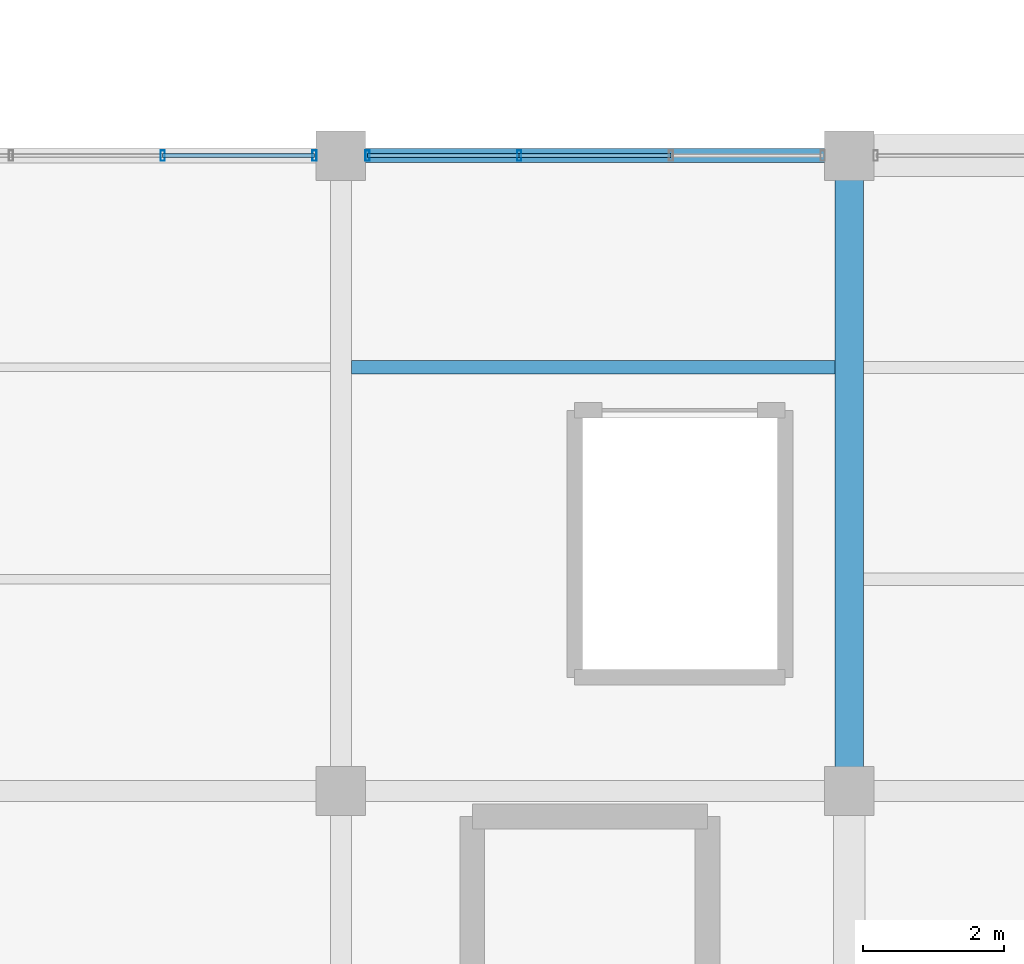
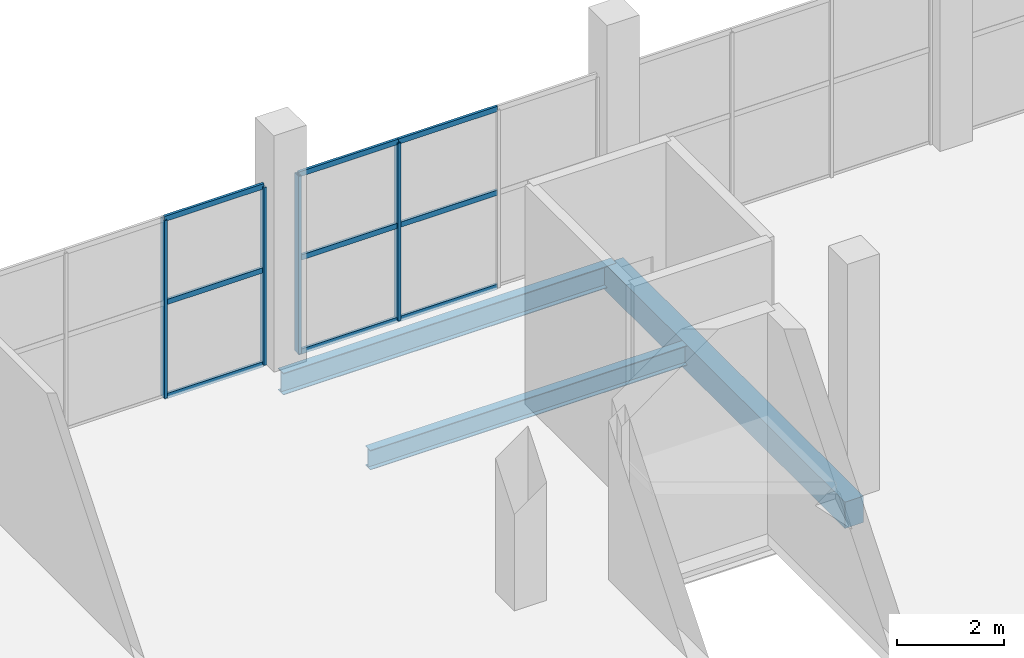
# One storey, part 101 of 147: 13 members, 3 beams, 2 elements without a shape of their own.
"""IFC4 building model written with IfcOpenShell, lengths in metres."""

from ifc_helpers import new_model, si_unit, direction, frame, origin, origin_2d, place, context, subcontext, project, spatial, rectangle, hollow_rectangle, i_section, extrude, material, layer, layer_set, material_profile, profile_set, type_object, element, aggregate, save


model = new_model("IFC4")

# Units and contexts
model_context = context("Model", 3, precision=1e-05, world=origin(), true_north=direction((0.0, 1.0)))
body_context = subcontext(model_context, "Body", "Model", "MODEL_VIEW")
ifc_project = project(units=[si_unit("LENGTHUNIT", "METRE"), si_unit("AREAUNIT", "SQUARE_METRE"), si_unit("VOLUMEUNIT", "CUBIC_METRE"), si_unit("PLANEANGLEUNIT", "RADIAN"), si_unit("MASSUNIT", "GRAM", prefix="KILO")], contexts=[model_context])

# Site, building, storey
site_placement = place(None, origin())
site = spatial("IfcSite", under=ifc_project, at=site_placement, CompositionType="ELEMENT")
building_placement = place(site_placement, origin())
building = spatial("IfcBuilding", under=site, at=building_placement, Name="Sundgate Opera House", CompositionType="ELEMENT")
storey_placement = place(building_placement, frame((0.0, 0.0, 6.0)))
storey = spatial("IfcBuildingStorey", under=building, at=storey_placement, Name="L01", CompositionType="ELEMENT", Elevation=6.0)

# Beams
ifc_material_1 = material(Name="Steel S355J2", Category="steel")
ifc_material_profile_1 = material_profile(ifc_material_1, i_section(OverallWidth=0.199951171875, OverallDepth=0.5, WebThickness=0.01025390625, FlangeThickness=0.01611328125, at=origin_2d()), Name="IPE 500")
ifc_profile_set_1 = profile_set([ifc_material_profile_1], Name="Steel S355J2")
beam_type_1 = type_object("IfcBeamType", Name="BM-GR-IPE500", PredefinedType="BEAM", material=ifc_profile_set_1)
beam_1_placement = place(storey_placement, frame((131.39990234375, 87.0, -0.550048828125), z_axis=(1.0, 0.0, 0.0), x_axis=(0.0, 1.0, 0.0)))
element("IfcBeam", 1, at=beam_1_placement, inside=storey, type_object=beam_type_1, Name="L01 Primary E-W Girder B1396", PredefinedType="BEAM", context=body_context, shape_type="SweptSolid", body=[
    extrude(i_section(OverallWidth=0.199951171875, OverallDepth=0.5, WebThickness=0.01025390625, FlangeThickness=0.01611328125, at=origin_2d()), origin(), (0.0, 0.0, 1.0), 7.2001953125),
])
ifc_material_2 = material(Name="Steel S355J2", Category="steel")
ifc_material_profile_2 = material_profile(ifc_material_2, i_section(OverallWidth=0.18994140625, OverallDepth=0.449951171875, WebThickness=0.009521484375, FlangeThickness=0.0146484375, at=origin_2d()), Name="IPE 450")
ifc_profile_set_2 = profile_set([ifc_material_profile_2], Name="Steel S355J2")
beam_type_2 = type_object("IfcBeamType", Name="BM-JS-IPE450", PredefinedType="JOIST", material=ifc_profile_set_2)
beam_2_placement = place(storey_placement, frame((131.550048828125, 84.0, -0.52490234375), z_axis=(1.0, 0.0, 0.0), x_axis=(0.0, 1.0, 0.0)))
element("IfcBeam", 2, at=beam_2_placement, inside=storey, type_object=beam_type_2, Name="L01 Secondary Floor Joist B1652", PredefinedType="JOIST", context=body_context, shape_type="SweptSolid", body=[
    extrude(i_section(OverallWidth=0.18994140625, OverallDepth=0.449951171875, WebThickness=0.009521484375, FlangeThickness=0.0146484375, at=origin_2d()), origin(), (0.0, 0.0, 1.0), 6.849853515625),
])
ifc_material_3 = material(Name="Concrete C35/45", Category="concrete")
ifc_material_profile_3 = material_profile(ifc_material_3, rectangle(XDim=0.39990234375, YDim=0.60009765625, at=origin_2d()), Name="RC 400x600")
ifc_profile_set_3 = profile_set([ifc_material_profile_3], Name="Concrete C35/45")
beam_type_3 = type_object("IfcBeamType", Name="BM-RC-400x600", PredefinedType="BEAM", material=ifc_profile_set_3)
beam_3_placement = place(storey_placement, frame((138.60009765625, 78.0, -0.60009765625), z_axis=(0.0, 1.0, 0.0), x_axis=(-1.0, 0.0, 0.0)))
element("IfcBeam", 3, at=beam_3_placement, inside=storey, type_object=beam_type_3, Name="L01 Primary N-S Girder B1224", PredefinedType="BEAM", context=body_context, shape_type="SweptSolid", body=[
    extrude(rectangle(XDim=0.39990234375, YDim=0.60009765625, at=origin_2d()), origin(), (0.0, 0.0, 1.0), 9.0),
])

# Curtain wall, members
ifc_material_4 = material(Name="Anodized aluminium and low-iron glass", Category="aluminium")
ifc_layer = layer(ifc_material_4, 0.159912109375)
ifc_layer_set = layer_set([ifc_layer], Name="Anodized aluminium and low-iron glass")
curtain_wall_type = type_object("IfcCurtainWallType", Name="CW-STUDIO-DARK", PredefinedType="NOTDEFINED", material=ifc_layer_set)
curtain_wall_1_placement = place(storey_placement, origin())
curtain_wall_1 = element("IfcCurtainWall", 4, at=curtain_wall_1_placement, inside=storey, type_object=curtain_wall_type, Name="L01 Curtain Wall CW094", PredefinedType="NOTDEFINED")
ifc_material_5 = material(Name="Anodized aluminium EN AW-6063", Category="aluminium")
ifc_material_profile_4 = material_profile(ifc_material_5, hollow_rectangle(XDim=0.06005859375, YDim=0.14990234375, WallThickness=0.00390625, at=origin_2d()), Name="CWM 150x60x4")
ifc_profile_set_4 = profile_set([ifc_material_profile_4], Name="Anodized aluminium EN AW-6063")
member_type_1 = type_object("IfcMemberType", Name="CWM-ALU-150x60", PredefinedType="MULLION", material=ifc_profile_set_4)
member_1_placement = place(storey_placement, frame((128.875, 87.0, 0.0), z_axis=(0.0, 0.0, 1.0), x_axis=(1.0, 0.0, 0.0)))
member_1 = element("IfcMember", 5, at=member_1_placement, type_object=member_type_1, Name="CW094 Mullion 3", PredefinedType="MULLION", context=body_context, shape_type="SweptSolid", body=[
    extrude(hollow_rectangle(XDim=0.06005859375, YDim=0.14990234375, WallThickness=0.00390625, at=origin_2d()), origin(), (0.0, 0.0, 1.0), 4.06494140625),
])
member_2_placement = place(storey_placement, frame((131.02490234375, 87.0, 0.0), z_axis=(0.0, 0.0, 1.0), x_axis=(1.0, 0.0, 0.0)))
member_2 = element("IfcMember", 6, at=member_2_placement, type_object=member_type_1, Name="CW094 Mullion 4", PredefinedType="MULLION", context=body_context, shape_type="SweptSolid", body=[
    extrude(hollow_rectangle(XDim=0.06005859375, YDim=0.14990234375, WallThickness=0.00390625, at=origin_2d()), origin(), (0.0, 0.0, 1.0), 4.06494140625),
])

curtain_wall_2_placement = place(storey_placement, origin())
curtain_wall_2 = element("IfcCurtainWall", 7, at=curtain_wall_2_placement, inside=storey, type_object=curtain_wall_type, Name="L01 Curtain Wall CW096", PredefinedType="NOTDEFINED")
member_3_placement = place(storey_placement, frame((131.77490234375, 87.0, 0.0), z_axis=(0.0, 0.0, 1.0), x_axis=(1.0, 0.0, 0.0)))
member_3 = element("IfcMember", 8, at=member_3_placement, type_object=member_type_1, Name="CW096 Mullion 1", PredefinedType="MULLION", context=body_context, shape_type="SweptSolid", body=[
    extrude(hollow_rectangle(XDim=0.06005859375, YDim=0.14990234375, WallThickness=0.00390625, at=origin_2d()), origin(), (0.0, 0.0, 1.0), 4.06494140625),
])
member_4_placement = place(storey_placement, frame((133.925048828125, 87.0, 0.0), z_axis=(0.0, 0.0, 1.0), x_axis=(1.0, 0.0, 0.0)))
member_4 = element("IfcMember", 9, at=member_4_placement, type_object=member_type_1, Name="CW096 Mullion 2", PredefinedType="MULLION", context=body_context, shape_type="SweptSolid", body=[
    extrude(hollow_rectangle(XDim=0.06005859375, YDim=0.14990234375, WallThickness=0.00390625, at=origin_2d()), origin(), (0.0, 0.0, 1.0), 4.06494140625),
])

# Member
ifc_material_6 = material(Name="Anodized aluminium EN AW-6063", Category="aluminium")
ifc_material_profile_5 = material_profile(ifc_material_6, hollow_rectangle(XDim=0.054931640625, YDim=0.1201171875, WallThickness=0.00390625, at=origin_2d()), Name="CWT 120x55x4")
ifc_profile_set_5 = profile_set([ifc_material_profile_5], Name="Anodized aluminium EN AW-6063")
member_type_2 = type_object("IfcMemberType", Name="CWT-ALU-120x55", PredefinedType="USERDEFINED", material=ifc_profile_set_5)
member_5_placement = place(storey_placement, frame((128.875, 87.0, 0.0), z_axis=(1.0, 0.0, 0.0), x_axis=(0.0, 1.0, 0.0)))
member_5 = element("IfcMember", 10, at=member_5_placement, type_object=member_type_2, Name="CW094 Transom 7", ObjectType="TRANSOM", PredefinedType="USERDEFINED", context=body_context, shape_type="SweptSolid", body=[
    extrude(hollow_rectangle(XDim=0.054931640625, YDim=0.1201171875, WallThickness=0.00390625, at=origin_2d()), origin(), (0.0, 0.0, 1.0), 2.14990234375),
])

member_6_placement = place(storey_placement, frame((128.875, 87.0, 2.14990234375), z_axis=(1.0, 0.0, 0.0), x_axis=(0.0, 1.0, 0.0)))
member_6 = element("IfcMember", 11, at=member_6_placement, type_object=member_type_2, Name="CW094 Transom 8", ObjectType="TRANSOM", PredefinedType="USERDEFINED", context=body_context, shape_type="SweptSolid", body=[
    extrude(hollow_rectangle(XDim=0.054931640625, YDim=0.1201171875, WallThickness=0.00390625, at=origin_2d()), origin(), (0.0, 0.0, 1.0), 2.14990234375),
])

member_7_placement = place(storey_placement, frame((128.875, 87.0, 4.06494140625), z_axis=(1.0, 0.0, 0.0), x_axis=(0.0, 1.0, 0.0)))
member_7 = element("IfcMember", 12, at=member_7_placement, type_object=member_type_2, Name="CW094 Transom 9", ObjectType="TRANSOM", PredefinedType="USERDEFINED", context=body_context, shape_type="SweptSolid", body=[
    extrude(hollow_rectangle(XDim=0.054931640625, YDim=0.1201171875, WallThickness=0.00390625, at=origin_2d()), origin(), (0.0, 0.0, 1.0), 2.14990234375),
])

aggregate(curtain_wall_1, [member_1, member_2, member_5, member_6, member_7])

member_8_placement = place(storey_placement, frame((131.77490234375, 87.0, 0.0), z_axis=(1.0, 0.0, 0.0), x_axis=(0.0, 1.0, 0.0)))
member_8 = element("IfcMember", 13, at=member_8_placement, type_object=member_type_2, Name="CW096 Transom 1", ObjectType="TRANSOM", PredefinedType="USERDEFINED", context=body_context, shape_type="SweptSolid", body=[
    extrude(hollow_rectangle(XDim=0.054931640625, YDim=0.1201171875, WallThickness=0.00390625, at=origin_2d()), origin(), (0.0, 0.0, 1.0), 2.150146484375),
])

member_9_placement = place(storey_placement, frame((131.77490234375, 87.0, 2.14990234375), z_axis=(1.0, 0.0, 0.0), x_axis=(0.0, 1.0, 0.0)))
member_9 = element("IfcMember", 14, at=member_9_placement, type_object=member_type_2, Name="CW096 Transom 2", ObjectType="TRANSOM", PredefinedType="USERDEFINED", context=body_context, shape_type="SweptSolid", body=[
    extrude(hollow_rectangle(XDim=0.054931640625, YDim=0.1201171875, WallThickness=0.00390625, at=origin_2d()), origin(), (0.0, 0.0, 1.0), 2.150146484375),
])

member_10_placement = place(storey_placement, frame((131.77490234375, 87.0, 4.06494140625), z_axis=(1.0, 0.0, 0.0), x_axis=(0.0, 1.0, 0.0)))
member_10 = element("IfcMember", 15, at=member_10_placement, type_object=member_type_2, Name="CW096 Transom 3", ObjectType="TRANSOM", PredefinedType="USERDEFINED", context=body_context, shape_type="SweptSolid", body=[
    extrude(hollow_rectangle(XDim=0.054931640625, YDim=0.1201171875, WallThickness=0.00390625, at=origin_2d()), origin(), (0.0, 0.0, 1.0), 2.150146484375),
])

member_11_placement = place(storey_placement, frame((133.925048828125, 87.0, 0.0), z_axis=(1.0, 0.0, 0.0), x_axis=(0.0, 1.0, 0.0)))
member_11 = element("IfcMember", 16, at=member_11_placement, type_object=member_type_2, Name="CW096 Transom 4", ObjectType="TRANSOM", PredefinedType="USERDEFINED", context=body_context, shape_type="SweptSolid", body=[
    extrude(hollow_rectangle(XDim=0.054931640625, YDim=0.1201171875, WallThickness=0.00390625, at=origin_2d()), origin(), (0.0, 0.0, 1.0), 2.14990234375),
])

member_12_placement = place(storey_placement, frame((133.925048828125, 87.0, 2.14990234375), z_axis=(1.0, 0.0, 0.0), x_axis=(0.0, 1.0, 0.0)))
member_12 = element("IfcMember", 17, at=member_12_placement, type_object=member_type_2, Name="CW096 Transom 5", ObjectType="TRANSOM", PredefinedType="USERDEFINED", context=body_context, shape_type="SweptSolid", body=[
    extrude(hollow_rectangle(XDim=0.054931640625, YDim=0.1201171875, WallThickness=0.00390625, at=origin_2d()), origin(), (0.0, 0.0, 1.0), 2.14990234375),
])

member_13_placement = place(storey_placement, frame((133.925048828125, 87.0, 4.06494140625), z_axis=(1.0, 0.0, 0.0), x_axis=(0.0, 1.0, 0.0)))
member_13 = element("IfcMember", 18, at=member_13_placement, type_object=member_type_2, Name="CW096 Transom 6", ObjectType="TRANSOM", PredefinedType="USERDEFINED", context=body_context, shape_type="SweptSolid", body=[
    extrude(hollow_rectangle(XDim=0.054931640625, YDim=0.1201171875, WallThickness=0.00390625, at=origin_2d()), origin(), (0.0, 0.0, 1.0), 2.14990234375),
])

aggregate(curtain_wall_2, [member_3, member_4, member_8, member_9, member_10, member_11, member_12, member_13])

save(model, "model.ifc")
